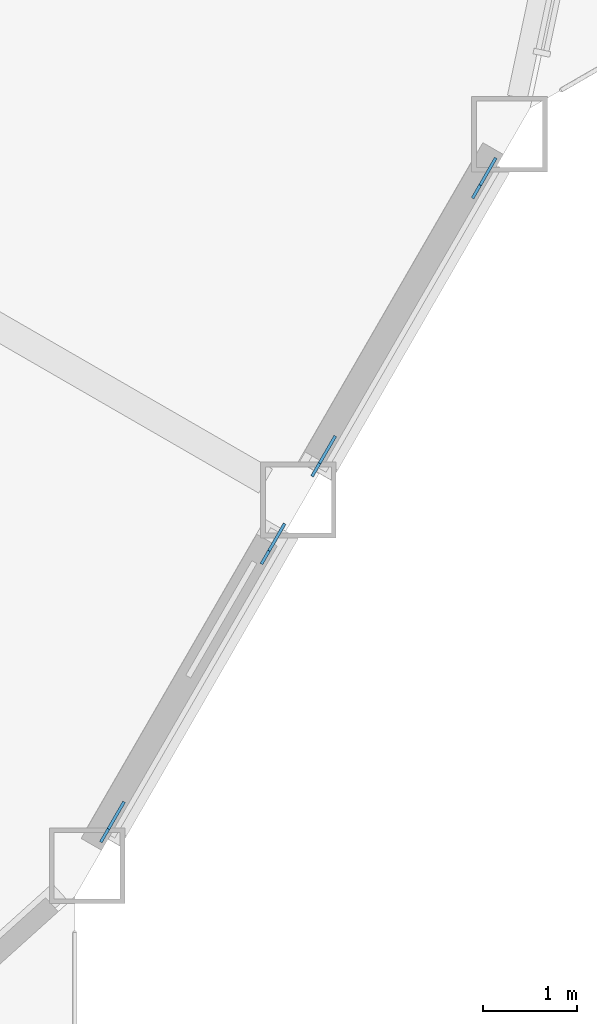
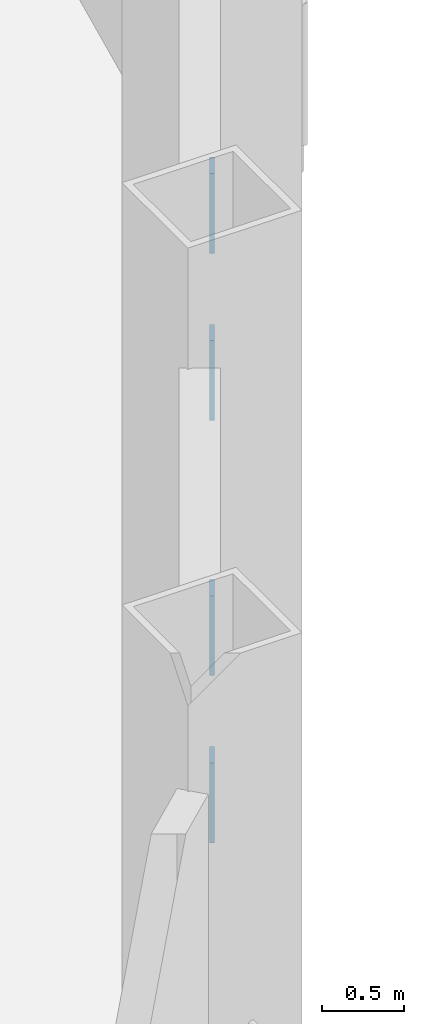
# One storey, part 16 of 22: 4 discrete accessories.
"""IFC4 building model written with IfcOpenShell, lengths in metres."""

from ifc_helpers import new_model, si_unit, direction, frame, origin, origin_2d, place, context, subcontext, project, spatial, rectangle, extrude, material, material_profile, profile_set, type_object, element, save


model = new_model("IFC4")

# Units and contexts
model_context = context("Model", 3, precision=1e-05, world=origin(), true_north=direction((0.0, 1.0)))
body_context = subcontext(model_context, "Body", "Model", "MODEL_VIEW")
ifc_project = project(units=[si_unit("LENGTHUNIT", "METRE"), si_unit("AREAUNIT", "SQUARE_METRE"), si_unit("VOLUMEUNIT", "CUBIC_METRE"), si_unit("PLANEANGLEUNIT", "RADIAN"), si_unit("MASSUNIT", "GRAM", prefix="KILO")], contexts=[model_context])

# Site, building, storey
site_placement = place(None, origin())
site = spatial("IfcSite", under=ifc_project, at=site_placement, CompositionType="ELEMENT")
building_placement = place(site_placement, origin())
building = spatial("IfcBuilding", under=site, at=building_placement, Name="Cormorant Prow Tower", CompositionType="ELEMENT")
storey_placement = place(building_placement, frame((0.0, 0.0, 198.0)))
storey = spatial("IfcBuildingStorey", under=building, at=storey_placement, Name="L43", CompositionType="ELEMENT", Elevation=198.0)

# Discrete accessories
ifc_material = material(Name="Structural steel ASTM A500 Gr C", Category="steel")
ifc_material_profile = material_profile(ifc_material, rectangle(XDim=0.031982421875, YDim=0.506103515625, at=origin_2d()), Name="Gusset plate 32x506")
ifc_profile_set = profile_set([ifc_material_profile], Name="Structural steel ASTM A500 Gr C")
discrete_accessory_type = type_object("IfcDiscreteAccessoryType", Name="Gusset plate 32x506", PredefinedType="BRACKET", material=ifc_profile_set)
discrete_accessory_1_placement = place(storey_placement, frame((27.7080078125, -16.807373046875, 0.83544921875), z_axis=(0.4742777402, 0.820918970906, -0.31804507284), x_axis=(-0.86587923604, 0.500253084543, 0.0)))
element("IfcDiscreteAccessory", 1, at=discrete_accessory_1_placement, inside=storey, type_object=discrete_accessory_type, Name="Gusset plate GP2 L43.ESE00.g0", PredefinedType="BRACKET", context=body_context, shape_type="SweptSolid", body=[
    extrude(rectangle(XDim=0.031982421875, YDim=0.506103515625, at=origin_2d()), origin(), (0.0, 0.0, 1.0), 0.35009765625),
])
for number, where, z_axis, x_axis, name in (
    (2, (26.17431640625, -19.463623046875, 1.865478515625), (-0.47373689254, -0.821190460264, 0.318150254784), (0.866197837791, -0.499701216534, 0.0), "Gusset plate GP2 L43.ESE00.g1"),
    (3, (29.943359375, -12.935791015625, 0.83544921875), (0.47373689254, 0.821190460264, -0.318150254784), (-0.866197837791, 0.499701216534, 0.0), "Gusset plate GP2 L43.ESE01.g0"),
):
    element("IfcDiscreteAccessory", number, at=place(storey_placement, frame(where, z_axis=z_axis, x_axis=x_axis)), inside=storey, type_object=discrete_accessory_type, Name=name, PredefinedType="BRACKET", context=body_context, shape_type="SweptSolid", body=[
        extrude(rectangle(XDim=0.031982421875, YDim=0.506103515625, at=origin_2d()), origin(), (0.0, 0.0, 1.0), 0.349853515625),
    ])
discrete_accessory_2_placement = place(storey_placement, frame((28.40966796875, -15.59228515625, 1.865478515625), z_axis=(-0.4742777402, -0.820918970906, 0.31804507284), x_axis=(0.86587923604, -0.500253084543, 0.0)))
element("IfcDiscreteAccessory", 4, at=discrete_accessory_2_placement, inside=storey, type_object=discrete_accessory_type, Name="Gusset plate GP2 L43.ESE01.g1", PredefinedType="BRACKET", context=body_context, shape_type="SweptSolid", body=[
    extrude(rectangle(XDim=0.031982421875, YDim=0.506103515625, at=origin_2d()), origin(), (0.0, 0.0, 1.0), 0.35009765625),
])

save(model, "model.ifc")
